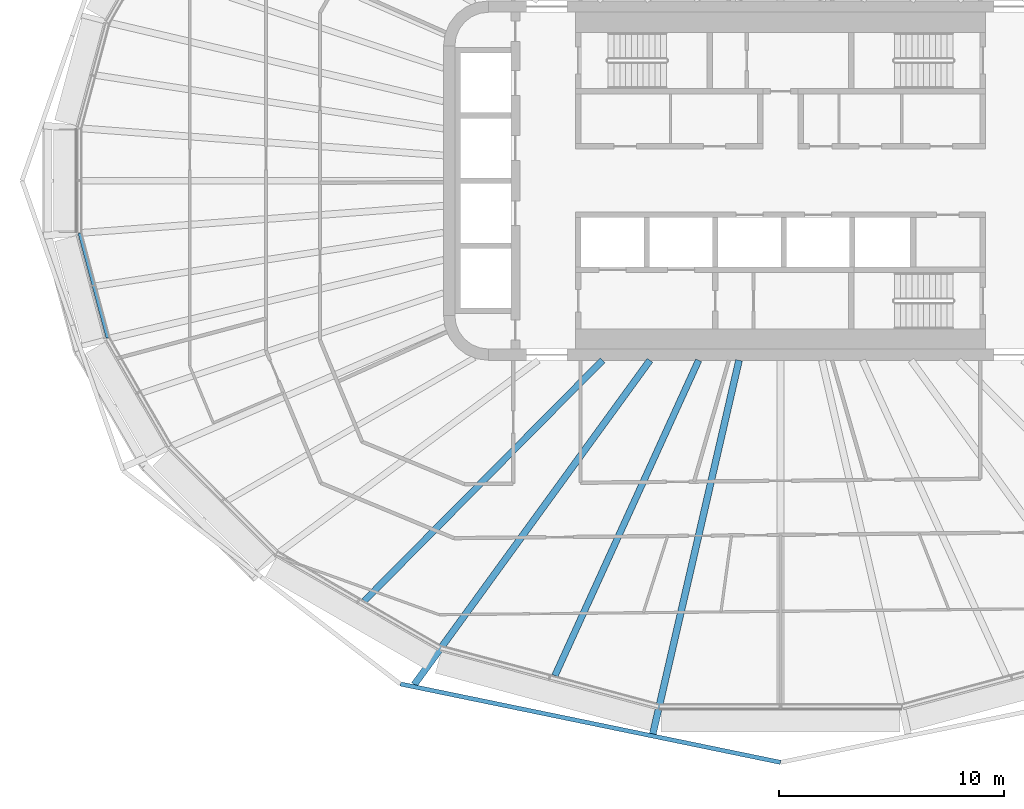
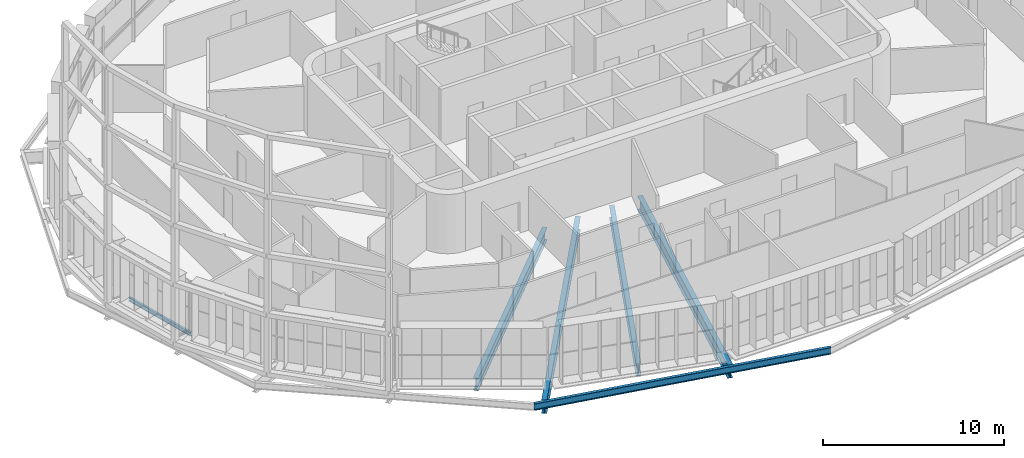
# One storey, part 2 of 24: 6 beams.
"""IFC4 building model written with IfcOpenShell, lengths in metres."""

from ifc_helpers import new_model, si_unit, direction, frame, origin, origin_2d, place, context, subcontext, project, spatial, i_section, extrude, material, material_profile, profile_set, type_object, element, save


model = new_model("IFC4")

# Units and contexts
model_context = context("Model", 3, precision=1e-05, world=origin(), true_north=direction((0.0, 1.0)))
body_context = subcontext(model_context, "Body", "Model", "MODEL_VIEW")
ifc_project = project(units=[si_unit("LENGTHUNIT", "METRE"), si_unit("AREAUNIT", "SQUARE_METRE"), si_unit("VOLUMEUNIT", "CUBIC_METRE"), si_unit("PLANEANGLEUNIT", "RADIAN"), si_unit("MASSUNIT", "GRAM", prefix="KILO")], contexts=[model_context])

# Site, building, storey
site_placement = place(None, origin())
site = spatial("IfcSite", under=ifc_project, at=site_placement, CompositionType="ELEMENT")
building_placement = place(site_placement, origin())
building = spatial("IfcBuilding", under=site, at=building_placement, Name="Sahrelin Media Tower", CompositionType="ELEMENT")
storey_placement = place(building_placement, frame((0.0, 0.0, 153.60009765625)))
storey = spatial("IfcBuildingStorey", under=building, at=storey_placement, Name="L31", CompositionType="ELEMENT", Elevation=153.60009765625)

# Beams
ifc_material = material(Name="Steel S355", Category="steel")
ifc_material_profile_1 = material_profile(ifc_material, i_section(OverallWidth=0.14599609375, OverallDepth=0.25146484375, WebThickness=0.006103515625, FlangeThickness=0.008544921875, FilletRadius=0.007568359375, at=origin_2d()), Name="UB 254x146x31")
ifc_profile_set_1 = profile_set([ifc_material_profile_1], Name="Steel S355")
beam_type_1 = type_object("IfcBeamType", Name="Edge beam EB1", PredefinedType="BEAM", material=ifc_profile_set_1)
beam_1_placement = place(storey_placement, frame((-29.947265625, -7.004638671875, -0.27587890625), z_axis=(-0.258800908736, 0.965930685731, 0.0), x_axis=(-0.965930685731, -0.258800908736, 0.0)))
element("IfcBeam", 1, at=beam_1_placement, inside=storey, type_object=beam_type_1, Name="Edge beam L31-12", PredefinedType="BEAM", context=body_context, shape_type="SweptSolid", body=[
    extrude(i_section(OverallWidth=0.14599609375, OverallDepth=0.25146484375, WebThickness=0.006103515625, FlangeThickness=0.008544921875, FilletRadius=0.007568359375, at=origin_2d()), origin(), (0.0, 0.0, 1.0), 4.831787109375),
])
ifc_material_profile_2 = material_profile(ifc_material, i_section(OverallWidth=0.30322265625, OverallDepth=0.903076171875, WebThickness=0.01513671875, FlangeThickness=0.020263671875, FilletRadius=0.01904296875, at=origin_2d()), Name="UB 914x305x201")
ifc_profile_set_2 = profile_set([ifc_material_profile_2], Name="Steel S355")
beam_type_2 = type_object("IfcBeamType", Name="Radial primary beam PB11", PredefinedType="BEAM", material=ifc_profile_set_2)
beam_2_placement = place(storey_placement, frame((-5.8125, -8.0, -0.6015625), z_axis=(-0.587797436451, -0.809008141925, 0.0), x_axis=(0.809008141925, -0.587797436451, 0.0)))
element("IfcBeam", 2, at=beam_2_placement, inside=storey, type_object=beam_type_2, Name="Radial beam L31-17", PredefinedType="BEAM", context=body_context, shape_type="SweptSolid", body=[
    extrude(i_section(OverallWidth=0.30322265625, OverallDepth=0.903076171875, WebThickness=0.01513671875, FlangeThickness=0.020263671875, FilletRadius=0.01904296875, at=origin_2d()), origin(), (0.0, 0.0, 1.0), 17.844970703125),
])
beam_3_placement = place(storey_placement, frame((-1.845458984375, -8.0, -0.6015625), z_axis=(-0.224764419728, -0.974413133955, 0.0), x_axis=(0.974413133955, -0.224764419728, 0.0)))
element("IfcBeam", 3, at=beam_3_placement, inside=storey, type_object=beam_type_2, Name="Radial beam L31-18", PredefinedType="BEAM", context=body_context, shape_type="SweptSolid", body=[
    extrude(i_section(OverallWidth=0.30322265625, OverallDepth=0.903076171875, WebThickness=0.01513671875, FlangeThickness=0.020263671875, FilletRadius=0.01904296875, at=origin_2d()), origin(), (0.0, 0.0, 1.0), 17.064208984375),
])
ifc_material_profile_3 = material_profile(ifc_material, i_section(OverallWidth=0.291748046875, OverallDepth=0.8349609375, WebThickness=0.013916015625, FlangeThickness=0.018798828125, FilletRadius=0.017822265625, at=origin_2d()), Name="UB 838x292x176")
ifc_profile_set_3 = profile_set([ifc_material_profile_3], Name="Steel S355")
beam_type_3 = type_object("IfcBeamType", Name="Radial secondary beam SB10", PredefinedType="BEAM", material=ifc_profile_set_3)
beam_4_placement = place(storey_placement, frame((-7.921142578125, -8.0, -0.567626953125), z_axis=(-0.703599162107, -0.710597086317, 0.0), x_axis=(0.710597086317, -0.703599162107, 0.0)))
element("IfcBeam", 4, at=beam_4_placement, inside=storey, type_object=beam_type_3, Name="Secondary beam L31-16", PredefinedType="BEAM", context=body_context, shape_type="SweptSolid", body=[
    extrude(i_section(OverallWidth=0.291748046875, OverallDepth=0.8349609375, WebThickness=0.013916015625, FlangeThickness=0.018798828125, FilletRadius=0.017822265625, at=origin_2d()), origin(), (0.0, 0.0, 1.0), 15.071533203125),
])
beam_5_placement = place(storey_placement, frame((-3.64501953125, -8.0, -0.567626953125), z_axis=(-0.414613847662, -0.909997449077, 0.0), x_axis=(0.909997449077, -0.414613847662, 0.0)))
element("IfcBeam", 5, at=beam_5_placement, inside=storey, type_object=beam_type_3, Name="Secondary beam L31-17", PredefinedType="BEAM", context=body_context, shape_type="SweptSolid", body=[
    extrude(i_section(OverallWidth=0.291748046875, OverallDepth=0.8349609375, WebThickness=0.013916015625, FlangeThickness=0.018798828125, FilletRadius=0.017822265625, at=origin_2d()), origin(), (0.0, 0.0, 1.0), 15.421630859375),
])
ifc_material_profile_4 = material_profile(ifc_material, i_section(OverallWidth=0.1904296875, OverallDepth=0.45703125, WebThickness=0.009033203125, FlangeThickness=0.014404296875, FilletRadius=0.01025390625, at=origin_2d()), Name="UB 457x191x74")
ifc_profile_set_4 = profile_set([ifc_material_profile_4], Name="Steel S355")
beam_type_4 = type_object("IfcBeamType", Name="Tie chord TC5", PredefinedType="BEAM", material=ifc_profile_set_4)
beam_6_placement = place(storey_placement, frame((0.0, -25.896484375, -0.378662109375), z_axis=(-0.979382790759, 0.202013240074, 0.0), x_axis=(-0.202013240074, -0.979382790759, 0.0)))
element("IfcBeam", 6, at=beam_6_placement, inside=storey, type_object=beam_type_4, Name="Tie chord L31-06", PredefinedType="BEAM", context=body_context, shape_type="SweptSolid", body=[
    extrude(i_section(OverallWidth=0.1904296875, OverallDepth=0.45703125, WebThickness=0.009033203125, FlangeThickness=0.014404296875, FilletRadius=0.01025390625, at=origin_2d()), origin(), (0.0, 0.0, 1.0), 17.281982421875),
])

save(model, "model.ifc")
